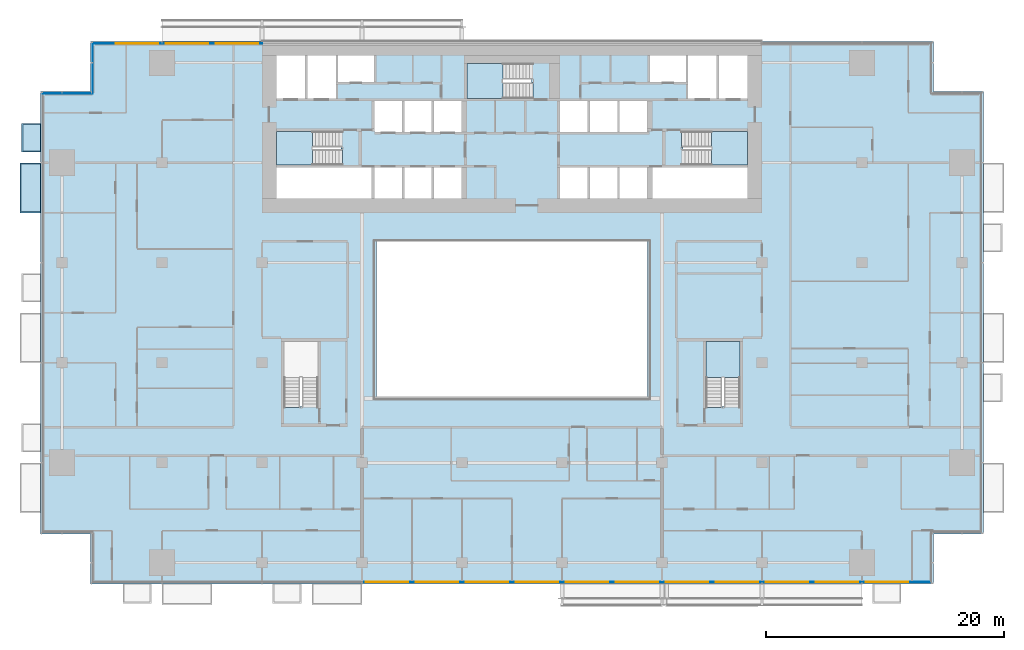
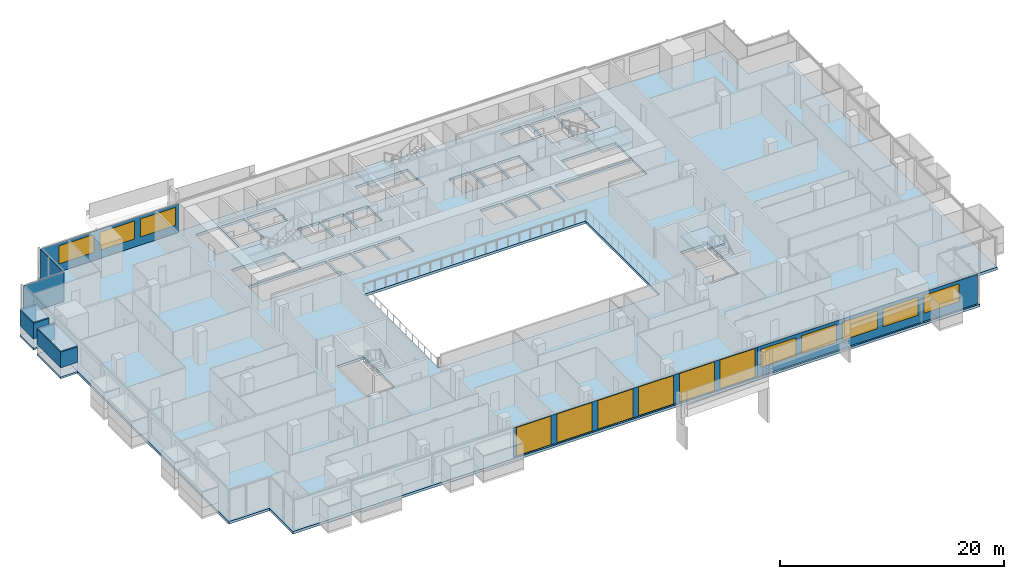
# One storey, part 15 of 27: 14 windows, 9 plates, 7 slabs, 14 openings, 8 elements without a shape of their own.
"""IFC4 building model written with IfcOpenShell, lengths in metres."""

from ifc_helpers import new_model, si_unit, direction, frame, frame_2d, origin, place, context, subcontext, project, spatial, polyline, rectangle, outline, extrude, material, layer, layer_set, type_object, element, fill, aggregate, save


model = new_model("IFC4")

# Units and contexts
model_context = context("Model", 3, precision=1e-05, world=origin(), true_north=direction((0.0, 1.0)))
body_context = subcontext(model_context, "Body", "Model", "MODEL_VIEW")
ifc_project = project(units=[si_unit("LENGTHUNIT", "METRE"), si_unit("AREAUNIT", "SQUARE_METRE"), si_unit("VOLUMEUNIT", "CUBIC_METRE"), si_unit("PLANEANGLEUNIT", "RADIAN"), si_unit("MASSUNIT", "GRAM", prefix="KILO")], contexts=[model_context])

# Site, building, storey
site_placement = place(None, origin())
site = spatial("IfcSite", under=ifc_project, at=site_placement, CompositionType="ELEMENT")
building_placement = place(site_placement, origin())
building = spatial("IfcBuilding", under=site, at=building_placement, Name="Saffron Gate Tower", CompositionType="ELEMENT")
storey_placement = place(building_placement, frame((0.0, 0.0, 44.39990234375)))
storey = spatial("IfcBuildingStorey", under=building, at=storey_placement, Name="L09", CompositionType="ELEMENT", Elevation=44.39990234375)

# Curtain wall, plates, openings, windows
ifc_material_1 = material(Name="Aluminium, bronze anodised", Category="aluminium")
curtain_wall_type_1 = type_object("IfcCurtainWallType", Name="CWS1 curtain wall front facade", PredefinedType="NOTDEFINED", material=ifc_material_1)
curtain_wall_1_placement = place(storey_placement, origin())
curtain_wall_1 = element("IfcCurtainWall", 1, at=curtain_wall_1_placement, inside=storey, type_object=curtain_wall_type_1, Name="CWS1 run 1", PredefinedType="NOTDEFINED")
ifc_material_2 = material(Name="Clear low-iron laminated glass", Category="glass")
ifc_layer_1 = layer(ifc_material_2, 0.028076171875)
ifc_layer_set_1 = layer_set([ifc_layer_1], Name="CWS1 clear glass")
plate_type_1 = type_object("IfcPlateType", Name="CWS1 clear glass", PredefinedType="CURTAIN_PANEL", material=ifc_layer_set_1)
plate_1_placement = place(storey_placement, frame((75.030029296875, 30.174072265625, 0.0), z_axis=(0.0, 0.0, 1.0), x_axis=(1.0, 0.0, 0.0)))
plate_1 = element("IfcPlate", 2, at=plate_1_placement, type_object=plate_type_1, Name="CWS1 clear glass panel", PredefinedType="CURTAIN_PANEL", context=body_context, shape_type="SweptSolid", body=[
    extrude(rectangle(XDim=25.139892578125, YDim=0.028076171875, at=frame_2d((12.56982421875, 0.0))), origin(), (0.0, 0.0, 1.0), 3.2001953125),
])
opening_1_placement = place(plate_1_placement, frame((0.27001953125, 0.0, 0.050048828125)))
opening_1 = element("IfcOpeningElement", 3, at=opening_1_placement, cuts=plate_1, Name="Opening WA", PredefinedType="OPENING", context=body_context, shape_type="SweptSolid", body=[
    extrude(rectangle(XDim=3.60009765625, YDim=3.10009765625, at=frame_2d((1.800048828125, 1.550048828125))), frame((0.0, 0.02392578125, 0.0), z_axis=(0.0, -1.0, 0.0), x_axis=(1.0, 0.0, 0.0)), (0.0, 0.0, 1.0), 0.048095703125),
])
opening_2_placement = place(plate_1_placement, frame((4.469970703125, 0.0, 0.050048828125)))
opening_2 = element("IfcOpeningElement", 4, at=opening_2_placement, cuts=plate_1, Name="Opening WA", PredefinedType="OPENING", context=body_context, shape_type="SweptSolid", body=[
    extrude(rectangle(XDim=3.60009765625, YDim=3.10009765625, at=frame_2d((1.800048828125, 1.550048828125))), frame((0.0, 0.02392578125, 0.0), z_axis=(0.0, -1.0, 0.0), x_axis=(1.0, 0.0, 0.0)), (0.0, 0.0, 1.0), 0.048095703125),
])
opening_3_placement = place(plate_1_placement, frame((8.669921875, 0.0, 0.050048828125)))
opening_3 = element("IfcOpeningElement", 5, at=opening_3_placement, cuts=plate_1, Name="Opening WA", PredefinedType="OPENING", context=body_context, shape_type="SweptSolid", body=[
    extrude(rectangle(XDim=3.60009765625, YDim=3.10009765625, at=frame_2d((1.800048828125, 1.550048828125))), frame((0.0, 0.02392578125, 0.0), z_axis=(0.0, -1.0, 0.0), x_axis=(1.0, 0.0, 0.0)), (0.0, 0.0, 1.0), 0.048095703125),
])
opening_4_placement = place(plate_1_placement, frame((12.8701171875, 0.0, 0.050048828125)))
opening_4 = element("IfcOpeningElement", 6, at=opening_4_placement, cuts=plate_1, Name="Opening WA", PredefinedType="OPENING", context=body_context, shape_type="SweptSolid", body=[
    extrude(rectangle(XDim=3.60009765625, YDim=3.10009765625, at=frame_2d((1.800048828125, 1.550048828125))), frame((0.0, 0.02392578125, 0.0), z_axis=(0.0, -1.0, 0.0), x_axis=(1.0, 0.0, 0.0)), (0.0, 0.0, 1.0), 0.048095703125),
])
opening_5_placement = place(plate_1_placement, frame((17.070068359375, 0.0, 0.050048828125)))
opening_5 = element("IfcOpeningElement", 7, at=opening_5_placement, cuts=plate_1, Name="Opening WA", PredefinedType="OPENING", context=body_context, shape_type="SweptSolid", body=[
    extrude(rectangle(XDim=3.60009765625, YDim=3.10009765625, at=frame_2d((1.800048828125, 1.550048828125))), frame((0.0, 0.02392578125, 0.0), z_axis=(0.0, -1.0, 0.0), x_axis=(1.0, 0.0, 0.0)), (0.0, 0.0, 1.0), 0.048095703125),
])
opening_6_placement = place(plate_1_placement, frame((21.27001953125, 0.0, 0.050048828125)))
opening_6 = element("IfcOpeningElement", 8, at=opening_6_placement, cuts=plate_1, Name="Opening WA", PredefinedType="OPENING", context=body_context, shape_type="SweptSolid", body=[
    extrude(rectangle(XDim=3.60009765625, YDim=3.10009765625, at=frame_2d((1.800048828125, 1.550048828125))), frame((0.0, 0.02392578125, 0.0), z_axis=(0.0, -1.0, 0.0), x_axis=(1.0, 0.0, 0.0)), (0.0, 0.0, 1.0), 0.048095703125),
])
ifc_material_3 = material(Name="Clear low-iron laminated glass in bronze frame", Category="glass")
ifc_layer_2 = layer(ifc_material_3, 0.06005859375)
ifc_layer_set_2 = layer_set([ifc_layer_2], Name="WA operable atrium unit 3600x3100")
window_type_1 = type_object("IfcWindowType", Name="WA operable atrium unit 3600x3100", PartitioningType="DOUBLE_PANEL_HORIZONTAL", PredefinedType="WINDOW", material=ifc_layer_set_2)
window_1_placement = place(opening_1_placement, origin())
window_1 = element("IfcWindow", 9, at=window_1_placement, type_object=window_type_1, Name="WA operable atrium unit", OverallHeight=3.10009765625, OverallWidth=3.60009765625, PartitioningType="SINGLE_PANEL", PredefinedType="WINDOW", context=body_context, shape_type="SweptSolid", body=[
    extrude(rectangle(XDim=3.60009765625, YDim=3.10009765625, at=frame_2d((1.800048828125, 1.550048828125))), frame((0.0, 0.013671875, 0.0), z_axis=(0.0, -1.0, 0.0), x_axis=(1.0, 0.0, 0.0)), (0.0, 0.0, 1.0), 0.027587890625),
])
fill(opening_1, window_1)
window_2_placement = place(opening_2_placement, origin())
window_2 = element("IfcWindow", 10, at=window_2_placement, type_object=window_type_1, Name="WA operable atrium unit", OverallHeight=3.10009765625, OverallWidth=3.60009765625, PartitioningType="SINGLE_PANEL", PredefinedType="WINDOW", context=body_context, shape_type="SweptSolid", body=[
    extrude(rectangle(XDim=3.60009765625, YDim=3.10009765625, at=frame_2d((1.800048828125, 1.550048828125))), frame((0.0, 0.013671875, 0.0), z_axis=(0.0, -1.0, 0.0), x_axis=(1.0, 0.0, 0.0)), (0.0, 0.0, 1.0), 0.027587890625),
])
fill(opening_2, window_2)
window_3_placement = place(opening_3_placement, origin())
window_3 = element("IfcWindow", 11, at=window_3_placement, type_object=window_type_1, Name="WA operable atrium unit", OverallHeight=3.10009765625, OverallWidth=3.60009765625, PartitioningType="SINGLE_PANEL", PredefinedType="WINDOW", context=body_context, shape_type="SweptSolid", body=[
    extrude(rectangle(XDim=3.60009765625, YDim=3.10009765625, at=frame_2d((1.800048828125, 1.550048828125))), frame((0.0, 0.013671875, 0.0), z_axis=(0.0, -1.0, 0.0), x_axis=(1.0, 0.0, 0.0)), (0.0, 0.0, 1.0), 0.027587890625),
])
fill(opening_3, window_3)
window_4_placement = place(opening_4_placement, origin())
window_4 = element("IfcWindow", 12, at=window_4_placement, type_object=window_type_1, Name="WA operable atrium unit", OverallHeight=3.10009765625, OverallWidth=3.60009765625, PartitioningType="SINGLE_PANEL", PredefinedType="WINDOW", context=body_context, shape_type="SweptSolid", body=[
    extrude(rectangle(XDim=3.60009765625, YDim=3.10009765625, at=frame_2d((1.800048828125, 1.550048828125))), frame((0.0, 0.013671875, 0.0), z_axis=(0.0, -1.0, 0.0), x_axis=(1.0, 0.0, 0.0)), (0.0, 0.0, 1.0), 0.027587890625),
])
fill(opening_4, window_4)
window_5_placement = place(opening_5_placement, origin())
window_5 = element("IfcWindow", 13, at=window_5_placement, type_object=window_type_1, Name="WA operable atrium unit", OverallHeight=3.10009765625, OverallWidth=3.60009765625, PartitioningType="SINGLE_PANEL", PredefinedType="WINDOW", context=body_context, shape_type="SweptSolid", body=[
    extrude(rectangle(XDim=3.60009765625, YDim=3.10009765625, at=frame_2d((1.800048828125, 1.550048828125))), frame((0.0, 0.013671875, 0.0), z_axis=(0.0, -1.0, 0.0), x_axis=(1.0, 0.0, 0.0)), (0.0, 0.0, 1.0), 0.027587890625),
])
fill(opening_5, window_5)
window_6_placement = place(opening_6_placement, origin())
window_6 = element("IfcWindow", 14, at=window_6_placement, type_object=window_type_1, Name="WA operable atrium unit", OverallHeight=3.10009765625, OverallWidth=3.60009765625, PartitioningType="SINGLE_PANEL", PredefinedType="WINDOW", context=body_context, shape_type="SweptSolid", body=[
    extrude(rectangle(XDim=3.60009765625, YDim=3.10009765625, at=frame_2d((1.800048828125, 1.550048828125))), frame((0.0, 0.013671875, 0.0), z_axis=(0.0, -1.0, 0.0), x_axis=(1.0, 0.0, 0.0)), (0.0, 0.0, 1.0), 0.027587890625),
])
fill(opening_6, window_6)
ifc_material_4 = material(Name="Fritted bronze-tinted laminated glass", Category="glass")
ifc_layer_3 = layer(ifc_material_4, 0.028076171875)
ifc_layer_set_3 = layer_set([ifc_layer_3], Name="CWS1 fixed glass")
plate_type_2 = type_object("IfcPlateType", Name="CWS1 fixed glass", PredefinedType="CURTAIN_PANEL", material=ifc_layer_set_3)
plate_2_placement = place(storey_placement, frame((100.169921875, 30.174072265625, 0.0), z_axis=(0.0, 0.0, 1.0), x_axis=(1.0, 0.0, 0.0)))
plate_2 = element("IfcPlate", 15, at=plate_2_placement, type_object=plate_type_2, Name="CWS1 glass panel", PredefinedType="CURTAIN_PANEL", context=body_context, shape_type="SweptSolid", body=[
    extrude(rectangle(XDim=22.64208984375, YDim=0.028076171875, at=frame_2d((11.321044921875, 0.0))), origin(), (0.0, 0.0, 1.0), 3.2001953125),
])
opening_7_placement = place(plate_2_placement, frame((0.330078125, 0.0, 0.89990234375)))
opening_7 = element("IfcOpeningElement", 16, at=opening_7_placement, cuts=plate_2, Name="Opening W1", PredefinedType="OPENING", context=body_context, shape_type="SweptSolid", body=[
    extrude(rectangle(XDim=3.60009765625, YDim=1.949951171875, at=frame_2d((1.800048828125, 0.97509765625))), frame((0.0, 0.02392578125, 0.0), z_axis=(0.0, -1.0, 0.0), x_axis=(1.0, 0.0, 0.0)), (0.0, 0.0, 1.0), 0.048095703125),
])
opening_8_placement = place(plate_2_placement, frame((4.530029296875, 0.0, 0.89990234375)))
opening_8 = element("IfcOpeningElement", 17, at=opening_8_placement, cuts=plate_2, Name="Opening W1", PredefinedType="OPENING", context=body_context, shape_type="SweptSolid", body=[
    extrude(rectangle(XDim=3.60009765625, YDim=1.949951171875, at=frame_2d((1.800048828125, 0.97509765625))), frame((0.0, 0.02392578125, 0.0), z_axis=(0.0, -1.0, 0.0), x_axis=(1.0, 0.0, 0.0)), (0.0, 0.0, 1.0), 0.048095703125),
])
opening_9_placement = place(plate_2_placement, frame((8.72998046875, 0.0, 0.89990234375)))
opening_9 = element("IfcOpeningElement", 18, at=opening_9_placement, cuts=plate_2, Name="Opening W1", PredefinedType="OPENING", context=body_context, shape_type="SweptSolid", body=[
    extrude(rectangle(XDim=3.60009765625, YDim=1.949951171875, at=frame_2d((1.800048828125, 0.97509765625))), frame((0.0, 0.02392578125, 0.0), z_axis=(0.0, -1.0, 0.0), x_axis=(1.0, 0.0, 0.0)), (0.0, 0.0, 1.0), 0.048095703125),
])
opening_10_placement = place(plate_2_placement, frame((12.929931640625, 0.0, 0.89990234375)))
opening_10 = element("IfcOpeningElement", 19, at=opening_10_placement, cuts=plate_2, Name="Opening W1", PredefinedType="OPENING", context=body_context, shape_type="SweptSolid", body=[
    extrude(rectangle(XDim=3.60009765625, YDim=1.949951171875, at=frame_2d((1.800048828125, 0.97509765625))), frame((0.0, 0.02392578125, 0.0), z_axis=(0.0, -1.0, 0.0), x_axis=(1.0, 0.0, 0.0)), (0.0, 0.0, 1.0), 0.048095703125),
])
opening_11_placement = place(plate_2_placement, frame((17.1298828125, 0.0, 0.89990234375)))
opening_11 = element("IfcOpeningElement", 20, at=opening_11_placement, cuts=plate_2, Name="Opening W1", PredefinedType="OPENING", context=body_context, shape_type="SweptSolid", body=[
    extrude(rectangle(XDim=3.60009765625, YDim=1.949951171875, at=frame_2d((1.800048828125, 0.97509765625))), frame((0.0, 0.02392578125, 0.0), z_axis=(0.0, -1.0, 0.0), x_axis=(1.0, 0.0, 0.0)), (0.0, 0.0, 1.0), 0.048095703125),
])
ifc_material_5 = material(Name="Fritted bronze-tinted laminated glass in bronze frame", Category="glass")
ifc_layer_4 = layer(ifc_material_5, 0.06005859375)
ifc_layer_set_4 = layer_set([ifc_layer_4], Name="W1 operable panel 3600x1950")
window_type_2 = type_object("IfcWindowType", Name="W1 operable panel 3600x1950", PartitioningType="DOUBLE_PANEL_HORIZONTAL", PredefinedType="WINDOW", material=ifc_layer_set_4)
window_7_placement = place(opening_7_placement, origin())
window_7 = element("IfcWindow", 21, at=window_7_placement, type_object=window_type_2, Name="W1 operable panel", OverallHeight=1.949951171875, OverallWidth=3.60009765625, PartitioningType="SINGLE_PANEL", PredefinedType="WINDOW", context=body_context, shape_type="SweptSolid", body=[
    extrude(rectangle(XDim=3.60009765625, YDim=1.949951171875, at=frame_2d((1.800048828125, 0.97509765625))), frame((0.0, 0.013671875, 0.0), z_axis=(0.0, -1.0, 0.0), x_axis=(1.0, 0.0, 0.0)), (0.0, 0.0, 1.0), 0.027587890625),
])
fill(opening_7, window_7)
window_8_placement = place(opening_8_placement, origin())
window_8 = element("IfcWindow", 22, at=window_8_placement, type_object=window_type_2, Name="W1 operable panel", OverallHeight=1.949951171875, OverallWidth=3.60009765625, PartitioningType="SINGLE_PANEL", PredefinedType="WINDOW", context=body_context, shape_type="SweptSolid", body=[
    extrude(rectangle(XDim=3.60009765625, YDim=1.949951171875, at=frame_2d((1.800048828125, 0.97509765625))), frame((0.0, 0.013671875, 0.0), z_axis=(0.0, -1.0, 0.0), x_axis=(1.0, 0.0, 0.0)), (0.0, 0.0, 1.0), 0.027587890625),
])
fill(opening_8, window_8)
window_9_placement = place(opening_9_placement, origin())
window_9 = element("IfcWindow", 23, at=window_9_placement, type_object=window_type_2, Name="W1 operable panel", OverallHeight=1.949951171875, OverallWidth=3.60009765625, PartitioningType="SINGLE_PANEL", PredefinedType="WINDOW", context=body_context, shape_type="SweptSolid", body=[
    extrude(rectangle(XDim=3.60009765625, YDim=1.949951171875, at=frame_2d((1.800048828125, 0.97509765625))), frame((0.0, 0.013671875, 0.0), z_axis=(0.0, -1.0, 0.0), x_axis=(1.0, 0.0, 0.0)), (0.0, 0.0, 1.0), 0.027587890625),
])
fill(opening_9, window_9)
window_10_placement = place(opening_10_placement, origin())
window_10 = element("IfcWindow", 24, at=window_10_placement, type_object=window_type_2, Name="W1 operable panel", OverallHeight=1.949951171875, OverallWidth=3.60009765625, PartitioningType="SINGLE_PANEL", PredefinedType="WINDOW", context=body_context, shape_type="SweptSolid", body=[
    extrude(rectangle(XDim=3.60009765625, YDim=1.949951171875, at=frame_2d((1.800048828125, 0.97509765625))), frame((0.0, 0.013671875, 0.0), z_axis=(0.0, -1.0, 0.0), x_axis=(1.0, 0.0, 0.0)), (0.0, 0.0, 1.0), 0.027587890625),
])
fill(opening_10, window_10)
window_11_placement = place(opening_11_placement, origin())
window_11 = element("IfcWindow", 25, at=window_11_placement, type_object=window_type_2, Name="W1 operable panel", OverallHeight=1.949951171875, OverallWidth=3.60009765625, PartitioningType="SINGLE_PANEL", PredefinedType="WINDOW", context=body_context, shape_type="SweptSolid", body=[
    extrude(rectangle(XDim=3.60009765625, YDim=1.949951171875, at=frame_2d((1.800048828125, 0.97509765625))), frame((0.0, 0.013671875, 0.0), z_axis=(0.0, -1.0, 0.0), x_axis=(1.0, 0.0, 0.0)), (0.0, 0.0, 1.0), 0.027587890625),
])
fill(opening_11, window_11)
aggregate(curtain_wall_1, [plate_2, plate_1, window_7, window_8, window_9, window_10, window_11, window_1, window_2, window_3, window_4, window_5, window_6])

# Curtain wall, plate, openings, windows
curtain_wall_type_2 = type_object("IfcCurtainWallType", Name="CWS3 curtain wall rear facade", PredefinedType="NOTDEFINED", material=ifc_material_1)
curtain_wall_2_placement = place(storey_placement, origin())
curtain_wall_2 = element("IfcCurtainWall", 26, at=curtain_wall_2_placement, inside=storey, type_object=curtain_wall_type_2, Name="CWS3 run 7", PredefinedType="NOTDEFINED")
ifc_material_6 = material(Name="Fritted grey-tinted laminated glass", Category="glass")
ifc_layer_5 = layer(ifc_material_6, 0.028076171875)
ifc_layer_set_5 = layer_set([ifc_layer_5], Name="CWS3 fixed glass")
plate_type_3 = type_object("IfcPlateType", Name="CWS3 fixed glass", PredefinedType="CURTAIN_PANEL", material=ifc_layer_set_5)
plate_3_placement = place(storey_placement, frame((66.635009765625, 75.426025390625, 0.0), z_axis=(0.0, 0.0, 1.0), x_axis=(-1.0, 0.0, 0.0)))
plate_3 = element("IfcPlate", 27, at=plate_3_placement, type_object=plate_type_3, Name="CWS3 glass panel", PredefinedType="CURTAIN_PANEL", context=body_context, shape_type="SweptSolid", body=[
    extrude(rectangle(XDim=14.2470703125, YDim=0.028076171875, at=frame_2d((7.12353515625, 0.0))), origin(), (0.0, 0.0, 1.0), 3.2001953125),
])
opening_12_placement = place(plate_3_placement, frame((0.3349609375, 0.0, 0.89990234375)))
opening_12 = element("IfcOpeningElement", 28, at=opening_12_placement, cuts=plate_3, Name="Opening W1", PredefinedType="OPENING", context=body_context, shape_type="SweptSolid", body=[
    extrude(rectangle(XDim=3.60009765625, YDim=1.949951171875, at=frame_2d((1.800048828125, 0.97509765625))), frame((0.0, 0.02392578125, 0.0), z_axis=(0.0, -1.0, 0.0), x_axis=(1.0, 0.0, 0.0)), (0.0, 0.0, 1.0), 0.048095703125),
])
opening_13_placement = place(plate_3_placement, frame((4.534912109375, 0.0, 0.89990234375)))
opening_13 = element("IfcOpeningElement", 29, at=opening_13_placement, cuts=plate_3, Name="Opening W1", PredefinedType="OPENING", context=body_context, shape_type="SweptSolid", body=[
    extrude(rectangle(XDim=3.60009765625, YDim=1.949951171875, at=frame_2d((1.800048828125, 0.97509765625))), frame((0.0, 0.02392578125, 0.0), z_axis=(0.0, -1.0, 0.0), x_axis=(1.0, 0.0, 0.0)), (0.0, 0.0, 1.0), 0.048095703125),
])
opening_14_placement = place(plate_3_placement, frame((8.735107421875, 0.0, 0.89990234375)))
opening_14 = element("IfcOpeningElement", 30, at=opening_14_placement, cuts=plate_3, Name="Opening W1", PredefinedType="OPENING", context=body_context, shape_type="SweptSolid", body=[
    extrude(rectangle(XDim=3.60009765625, YDim=1.949951171875, at=frame_2d((1.800048828125, 0.97509765625))), frame((0.0, 0.02392578125, 0.0), z_axis=(0.0, -1.0, 0.0), x_axis=(1.0, 0.0, 0.0)), (0.0, 0.0, 1.0), 0.048095703125),
])
window_12_placement = place(opening_12_placement, origin())
window_12 = element("IfcWindow", 31, at=window_12_placement, type_object=window_type_2, Name="W1 operable panel", OverallHeight=1.949951171875, OverallWidth=3.60009765625, PartitioningType="SINGLE_PANEL", PredefinedType="WINDOW", context=body_context, shape_type="SweptSolid", body=[
    extrude(rectangle(XDim=3.60009765625, YDim=1.949951171875, at=frame_2d((1.800048828125, 0.97509765625))), frame((0.0, 0.013671875, 0.0), z_axis=(0.0, -1.0, 0.0), x_axis=(1.0, 0.0, 0.0)), (0.0, 0.0, 1.0), 0.027587890625),
])
fill(opening_12, window_12)
window_13_placement = place(opening_13_placement, origin())
window_13 = element("IfcWindow", 32, at=window_13_placement, type_object=window_type_2, Name="W1 operable panel", OverallHeight=1.949951171875, OverallWidth=3.60009765625, PartitioningType="SINGLE_PANEL", PredefinedType="WINDOW", context=body_context, shape_type="SweptSolid", body=[
    extrude(rectangle(XDim=3.60009765625, YDim=1.949951171875, at=frame_2d((1.800048828125, 0.97509765625))), frame((0.0, 0.013671875, 0.0), z_axis=(0.0, -1.0, 0.0), x_axis=(1.0, 0.0, 0.0)), (0.0, 0.0, 1.0), 0.027587890625),
])
fill(opening_13, window_13)
window_14_placement = place(opening_14_placement, origin())
window_14 = element("IfcWindow", 33, at=window_14_placement, type_object=window_type_2, Name="W1 operable panel", OverallHeight=1.949951171875, OverallWidth=3.60009765625, PartitioningType="SINGLE_PANEL", PredefinedType="WINDOW", context=body_context, shape_type="SweptSolid", body=[
    extrude(rectangle(XDim=3.60009765625, YDim=1.949951171875, at=frame_2d((1.800048828125, 0.97509765625))), frame((0.0, 0.013671875, 0.0), z_axis=(0.0, -1.0, 0.0), x_axis=(1.0, 0.0, 0.0)), (0.0, 0.0, 1.0), 0.027587890625),
])
fill(opening_14, window_14)
aggregate(curtain_wall_2, [plate_3, window_12, window_13, window_14])

# Curtain wall, plate
curtain_wall_type_3 = type_object("IfcCurtainWallType", Name="CWS4 curtain wall corner returns", PredefinedType="NOTDEFINED", material=ifc_material_1)
curtain_wall_3_placement = place(storey_placement, origin())
curtain_wall_3 = element("IfcCurtainWall", 34, at=curtain_wall_3_placement, inside=storey, type_object=curtain_wall_type_3, Name="CWS4 run 8", PredefinedType="NOTDEFINED")
ifc_layer_6 = layer(ifc_material_4, 0.028076171875)
ifc_layer_set_6 = layer_set([ifc_layer_6], Name="CWS4 fixed glass")
plate_type_4 = type_object("IfcPlateType", Name="CWS4 fixed glass", PredefinedType="CURTAIN_PANEL", material=ifc_layer_set_6)
plate_4_placement = place(storey_placement, frame((52.3740234375, 75.412109375, 0.0), z_axis=(0.0, 0.0, 1.0), x_axis=(0.0, -1.0, 0.0)))
plate_4 = element("IfcPlate", 35, at=plate_4_placement, type_object=plate_type_4, Name="CWS4 glass panel", PredefinedType="CURTAIN_PANEL", context=body_context, shape_type="SweptSolid", body=[
    extrude(rectangle(XDim=4.172119140625, YDim=0.028076171875, at=frame_2d((2.0859375, 0.0))), origin(), (0.0, 0.0, 1.0), 3.2001953125),
])
aggregate(curtain_wall_3, [plate_4])

curtain_wall_4_placement = place(storey_placement, origin())
curtain_wall_4 = element("IfcCurtainWall", 36, at=curtain_wall_4_placement, inside=storey, type_object=curtain_wall_type_3, Name="CWS4 run 9", PredefinedType="NOTDEFINED")
plate_5_placement = place(storey_placement, frame((52.360107421875, 71.22607421875, 0.0), z_axis=(0.0, 0.0, 1.0), x_axis=(-1.0, 0.0, 0.0)))
plate_5 = element("IfcPlate", 37, at=plate_5_placement, type_object=plate_type_4, Name="CWS4 glass panel", PredefinedType="CURTAIN_PANEL", context=body_context, shape_type="SweptSolid", body=[
    extrude(rectangle(XDim=4.172119140625, YDim=0.028076171875, at=frame_2d((2.0859375, 0.0))), origin(), (0.0, 0.0, 1.0), 3.2001953125),
])
aggregate(curtain_wall_4, [plate_5])

# Slab
ifc_material_7 = material(Name="Concrete C40", Category="concrete")
ifc_layer_7 = layer(ifc_material_7, 0.280029296875)
ifc_layer_set_7 = layer_set([ifc_layer_7], Name="S2 FLOOR SLAB 280 CONCRETE C40")
slab_type_1 = type_object("IfcSlabType", Name="S2 FLOOR SLAB 280 CONCRETE C40", PredefinedType="FLOOR", material=ifc_layer_set_7)
slab_1_placement = place(storey_placement, frame((0.0, 0.0, -0.27978515625)))
element("IfcSlab", 38, at=slab_1_placement, inside=storey, type_object=slab_type_1, Name="S2 FLOOR SLAB", PredefinedType="FLOOR", context=body_context, shape_type="SweptSolid", body=[
    extrude(outline(polyline([(48.0, 34.199951171875), (52.199951171875, 34.199951171875), (52.199951171875, 30.0), (123.0, 30.0), (123.0, 34.199951171875), (127.199951171875, 34.199951171875), (127.199951171875, 71.39990234375), (123.0, 71.39990234375), (123.0, 75.60009765625), (52.199951171875, 75.60009765625), (52.199951171875, 71.39990234375), (48.0, 71.39990234375), (48.0, 34.199951171875)]), holes=[polyline([(67.800048828125, 62.39990234375), (67.800048828125, 65.0), (75.800048828125, 65.0), (75.800048828125, 62.39990234375), (67.800048828125, 62.39990234375)]), polyline([(67.800048828125, 65.199951171875), (67.800048828125, 68.050048828125), (73.25, 68.050048828125), (73.25, 66.550048828125), (73.34912109375, 66.550048828125), (73.34912109375, 65.199951171875), (67.800048828125, 65.199951171875)]), polyline([(67.800048828125, 70.800048828125), (67.800048828125, 74.39990234375), (70.199951171875, 74.39990234375), (70.199951171875, 70.800048828125), (67.800048828125, 70.800048828125)]), polyline([(68.449951171875, 44.85107421875), (68.449951171875, 50.39990234375), (71.300048828125, 50.39990234375), (71.300048828125, 44.949951171875), (69.800048828125, 44.949951171875), (69.800048828125, 44.85107421875), (68.449951171875, 44.85107421875)]), polyline([(70.39990234375, 70.800048828125), (70.39990234375, 74.39990234375), (72.800048828125, 74.39990234375), (72.800048828125, 70.800048828125), (70.39990234375, 70.800048828125)]), polyline([(73.0, 72.199951171875), (73.0, 74.39990234375), (76.0, 74.39990234375), (76.0, 72.199951171875), (73.0, 72.199951171875)]), polyline([(76.050048828125, 62.39990234375), (76.050048828125, 65.0), (78.35009765625, 65.0), (78.35009765625, 62.39990234375), (76.050048828125, 62.39990234375)]), polyline([(76.050048828125, 68.0), (76.050048828125, 70.60009765625), (78.35009765625, 70.60009765625), (78.35009765625, 68.0), (76.050048828125, 68.0)]), polyline([(76.199951171875, 45.60009765625), (76.199951171875, 58.800048828125), (99.0, 58.800048828125), (99.0, 45.60009765625), (76.199951171875, 45.60009765625)]), polyline([(78.550048828125, 62.39990234375), (78.550048828125, 65.0), (80.85009765625, 65.0), (80.85009765625, 62.39990234375), (78.550048828125, 62.39990234375)]), polyline([(78.550048828125, 68.0), (78.550048828125, 70.60009765625), (80.85009765625, 70.60009765625), (80.85009765625, 68.0), (78.550048828125, 68.0)]), polyline([(81.050048828125, 62.39990234375), (81.050048828125, 65.0), (83.35009765625, 65.0), (83.35009765625, 62.39990234375), (81.050048828125, 62.39990234375)]), polyline([(81.050048828125, 68.0), (81.050048828125, 70.60009765625), (83.35009765625, 70.60009765625), (83.35009765625, 68.0), (81.050048828125, 68.0)]), polyline([(83.800048828125, 70.800048828125), (83.800048828125, 73.75), (89.25, 73.75), (89.25, 72.14990234375), (89.34912109375, 72.14990234375), (89.34912109375, 70.800048828125), (83.800048828125, 70.800048828125)]), polyline([(91.64990234375, 62.39990234375), (91.64990234375, 65.0), (93.949951171875, 65.0), (93.949951171875, 62.39990234375), (91.64990234375, 62.39990234375)]), polyline([(91.64990234375, 68.0), (91.64990234375, 70.60009765625), (93.949951171875, 70.60009765625), (93.949951171875, 68.0), (91.64990234375, 68.0)]), polyline([(94.14990234375, 62.39990234375), (94.14990234375, 65.0), (96.449951171875, 65.0), (96.449951171875, 62.39990234375), (94.14990234375, 62.39990234375)]), polyline([(94.14990234375, 68.0), (94.14990234375, 70.60009765625), (96.449951171875, 70.60009765625), (96.449951171875, 68.0), (94.14990234375, 68.0)]), polyline([(96.64990234375, 62.39990234375), (96.64990234375, 65.0), (98.949951171875, 65.0), (98.949951171875, 62.39990234375), (96.64990234375, 62.39990234375)]), polyline([(96.64990234375, 68.0), (96.64990234375, 70.60009765625), (98.949951171875, 70.60009765625), (98.949951171875, 68.0), (96.64990234375, 68.0)]), polyline([(99.199951171875, 72.199951171875), (99.199951171875, 74.39990234375), (102.199951171875, 74.39990234375), (102.199951171875, 72.199951171875), (99.199951171875, 72.199951171875)]), polyline([(99.39990234375, 62.39990234375), (99.39990234375, 65.0), (107.39990234375, 65.0), (107.39990234375, 62.39990234375), (99.39990234375, 62.39990234375)]), polyline([(101.85107421875, 66.699951171875), (101.85107421875, 68.050048828125), (107.39990234375, 68.050048828125), (107.39990234375, 65.199951171875), (101.949951171875, 65.199951171875), (101.949951171875, 66.699951171875), (101.85107421875, 66.699951171875)]), polyline([(102.39990234375, 70.800048828125), (102.39990234375, 74.39990234375), (104.800048828125, 74.39990234375), (104.800048828125, 70.800048828125), (102.39990234375, 70.800048828125)]), polyline([(103.89990234375, 44.85107421875), (103.89990234375, 50.39990234375), (106.75, 50.39990234375), (106.75, 44.949951171875), (105.25, 44.949951171875), (105.25, 44.85107421875), (103.89990234375, 44.85107421875)]), polyline([(105.0, 70.800048828125), (105.0, 74.39990234375), (107.39990234375, 74.39990234375), (107.39990234375, 70.800048828125), (105.0, 70.800048828125)])]), origin(), (0.0, 0.0, 1.0), 0.27978515625),
])

# Stair, slab
stair_type = type_object("IfcStairType", Name="ST7 Stair 1350 wide, 20 risers of 180", PredefinedType="HALF_TURN_STAIR", material=ifc_material_7)
stair_1_placement = place(storey_placement, origin())
stair_1 = element("IfcStair", 39, at=stair_1_placement, inside=storey, type_object=stair_type, Name="L09 Exit stair A", PredefinedType="HALF_TURN_STAIR")
ifc_layer_8 = layer(ifc_material_7, 0.199951171875)
ifc_layer_set_8 = layer_set([ifc_layer_8], Name="SL1 Stair landing 200")
slab_type_2 = type_object("IfcSlabType", Name="SL1 Stair landing 200", PredefinedType="LANDING", material=ifc_layer_set_8)
slab_2_placement = place(storey_placement, frame((0.0, 0.0, 1.60009765625)))
slab_2 = element("IfcSlab", 40, at=slab_2_placement, type_object=slab_type_2, Name="ST-A landing 1", PredefinedType="LANDING", context=body_context, shape_type="SweptSolid", body=[
    extrude(outline(polyline([(70.830078125, 68.050048828125), (67.800048828125, 68.050048828125), (67.800048828125, 65.199951171875), (70.830078125, 65.199951171875), (70.830078125, 68.050048828125)])), origin(), (0.0, 0.0, 1.0), 0.199951171875),
])
aggregate(stair_1, [slab_2])

stair_2_placement = place(storey_placement, origin())
stair_2 = element("IfcStair", 41, at=stair_2_placement, inside=storey, type_object=stair_type, Name="L09 Exit stair B", PredefinedType="HALF_TURN_STAIR")
slab_3_placement = place(storey_placement, frame((0.0, 0.0, 1.60009765625)))
slab_3 = element("IfcSlab", 42, at=slab_3_placement, type_object=slab_type_2, Name="ST-B landing 1", PredefinedType="LANDING", context=body_context, shape_type="SweptSolid", body=[
    extrude(outline(polyline([(104.3701171875, 65.199951171875), (107.39990234375, 65.199951171875), (107.39990234375, 68.050048828125), (104.3701171875, 68.050048828125), (104.3701171875, 65.199951171875)])), origin(), (0.0, 0.0, 1.0), 0.199951171875),
])
aggregate(stair_2, [slab_3])

stair_3_placement = place(storey_placement, origin())
stair_3 = element("IfcStair", 43, at=stair_3_placement, inside=storey, type_object=stair_type, Name="L09 Exit stair C", PredefinedType="HALF_TURN_STAIR")
slab_4_placement = place(storey_placement, frame((0.0, 0.0, 1.60009765625)))
slab_4 = element("IfcSlab", 44, at=slab_4_placement, type_object=slab_type_2, Name="ST-C landing 1", PredefinedType="LANDING", context=body_context, shape_type="SweptSolid", body=[
    extrude(outline(polyline([(86.830078125, 73.75), (83.800048828125, 73.75), (83.800048828125, 70.800048828125), (86.830078125, 70.800048828125), (86.830078125, 73.75)])), origin(), (0.0, 0.0, 1.0), 0.199951171875),
])
aggregate(stair_3, [slab_4])

stair_4_placement = place(storey_placement, origin())
stair_4 = element("IfcStair", 45, at=stair_4_placement, inside=storey, type_object=stair_type, Name="L09 Exit stair E", PredefinedType="HALF_TURN_STAIR")
slab_5_placement = place(storey_placement, frame((0.0, 0.0, 1.60009765625)))
slab_5 = element("IfcSlab", 46, at=slab_5_placement, type_object=slab_type_2, Name="ST-E landing 1", PredefinedType="LANDING", context=body_context, shape_type="SweptSolid", body=[
    extrude(outline(polyline([(106.75, 47.3701171875), (106.75, 50.39990234375), (103.89990234375, 50.39990234375), (103.89990234375, 47.3701171875), (106.75, 47.3701171875)])), origin(), (0.0, 0.0, 1.0), 0.199951171875),
])
aggregate(stair_4, [slab_5])

# Slabs
ifc_material_8 = material(Name="Timber deck on bronze frame", Category="wood")
ifc_layer_9 = layer(ifc_material_8, 0.199951171875)
ifc_layer_set_9 = layer_set([ifc_layer_9], Name="WB1 box floor")
slab_type_3 = type_object("IfcSlabType", Name="WB1 box floor", PredefinedType="FLOOR", material=ifc_layer_set_9)
slab_6_placement = place(storey_placement, frame((0.0, 0.0, -0.199951171875)))
element("IfcSlab", 47, at=slab_6_placement, inside=storey, type_object=slab_type_3, Name="WINDOW BOX floor", PredefinedType="FLOOR", context=body_context, shape_type="SweptSolid", body=[
    extrude(outline(polyline([(48.0, 68.699951171875), (48.0, 66.300048828125), (46.39990234375, 66.300048828125), (46.39990234375, 68.699951171875), (48.0, 68.699951171875)])), origin(), (0.0, 0.0, 1.0), 0.199951171875),
])
slab_7_placement = place(storey_placement, frame((0.0, 0.0, -0.199951171875)))
element("IfcSlab", 48, at=slab_7_placement, inside=storey, type_object=slab_type_3, Name="WINDOW BOX floor", PredefinedType="FLOOR", context=body_context, shape_type="SweptSolid", body=[
    extrude(outline(polyline([(48.0, 65.39990234375), (48.0, 61.199951171875), (46.26708984375, 61.199951171875), (46.26708984375, 65.39990234375), (48.0, 65.39990234375)])), origin(), (0.0, 0.0, 1.0), 0.199951171875),
])

# Plates
ifc_layer_10 = layer(ifc_material_1, 0.1201171875)
ifc_layer_set_10 = layer_set([ifc_layer_10], Name="WB2 box roof")
plate_type_5 = type_object("IfcPlateType", Name="WB2 box roof", PredefinedType="SHEET", material=ifc_layer_set_10)
plate_6_placement = place(storey_placement, frame((0.0, 0.0, 2.7001953125)))
element("IfcPlate", 49, at=plate_6_placement, inside=storey, type_object=plate_type_5, Name="WINDOW BOX roof", PredefinedType="SHEET", context=body_context, shape_type="SweptSolid", body=[
    extrude(outline(polyline([(48.0, 68.699951171875), (48.0, 66.300048828125), (46.39990234375, 66.300048828125), (46.39990234375, 68.699951171875), (48.0, 68.699951171875)])), origin(), (0.0, 0.0, 1.0), 0.119873046875),
])
plate_7_placement = place(storey_placement, frame((0.0, 0.0, 2.7001953125)))
element("IfcPlate", 50, at=plate_7_placement, inside=storey, type_object=plate_type_5, Name="WINDOW BOX roof", PredefinedType="SHEET", context=body_context, shape_type="SweptSolid", body=[
    extrude(outline(polyline([(48.0, 65.39990234375), (48.0, 61.199951171875), (46.26708984375, 61.199951171875), (46.26708984375, 65.39990234375), (48.0, 65.39990234375)])), origin(), (0.0, 0.0, 1.0), 0.119873046875),
])
ifc_layer_11 = layer(ifc_material_2, 0.10009765625)
ifc_layer_set_11 = layer_set([ifc_layer_11], Name="WB6 box glazing")
plate_type_6 = type_object("IfcPlateType", Name="WB6 box glazing", PredefinedType="SHEET", material=ifc_layer_set_11)
plate_8_placement = place(storey_placement, frame((0.0, 0.0, 1.0)))
element("IfcPlate", 51, at=plate_8_placement, inside=storey, type_object=plate_type_6, Name="WINDOW BOX glazing", PredefinedType="SHEET", context=body_context, shape_type="SweptSolid", body=[
    extrude(outline(polyline([(48.0, 68.699951171875), (48.0, 68.60009765625), (46.5, 68.60009765625), (46.5, 66.39990234375), (48.0, 66.39990234375), (48.0, 66.300048828125), (46.39990234375, 66.300048828125), (46.39990234375, 68.699951171875), (48.0, 68.699951171875)])), origin(), (0.0, 0.0, 1.0), 1.7001953125),
])
plate_9_placement = place(storey_placement, frame((0.0, 0.0, 1.0)))
element("IfcPlate", 52, at=plate_9_placement, inside=storey, type_object=plate_type_6, Name="WINDOW BOX glazing", PredefinedType="SHEET", context=body_context, shape_type="SweptSolid", body=[
    extrude(outline(polyline([(48.0, 65.39990234375), (48.0, 65.300048828125), (46.366943359375, 65.300048828125), (46.366943359375, 61.300048828125), (48.0, 61.300048828125), (48.0, 61.199951171875), (46.26708984375, 61.199951171875), (46.26708984375, 65.39990234375), (48.0, 65.39990234375)])), origin(), (0.0, 0.0, 1.0), 1.7001953125),
])

save(model, "model.ifc")
